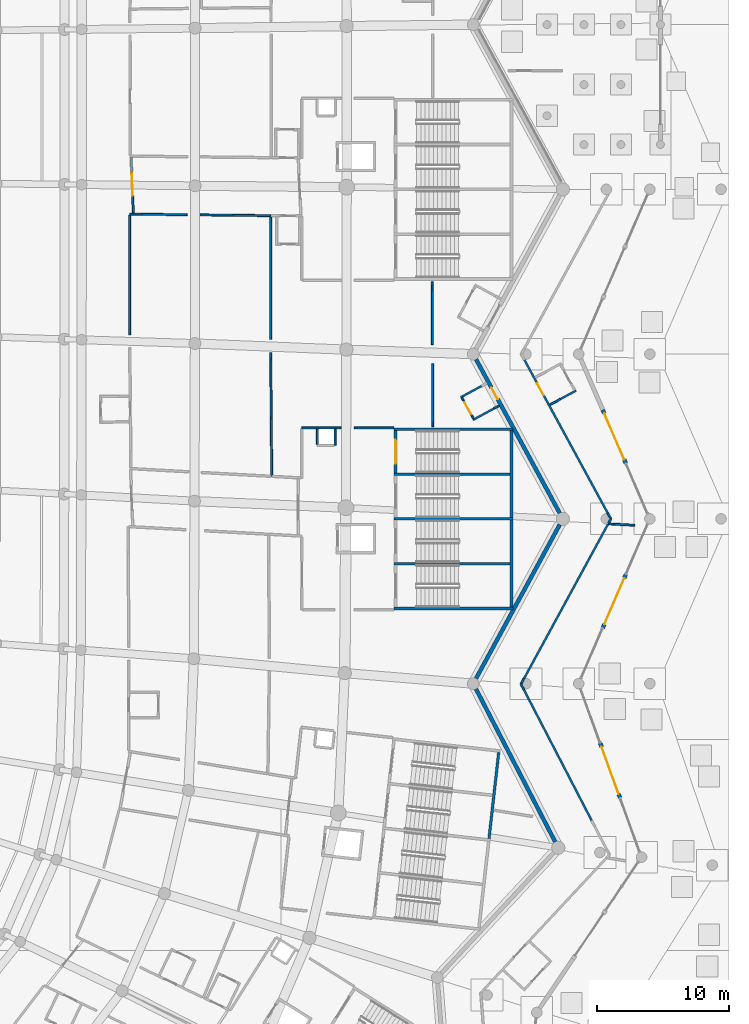
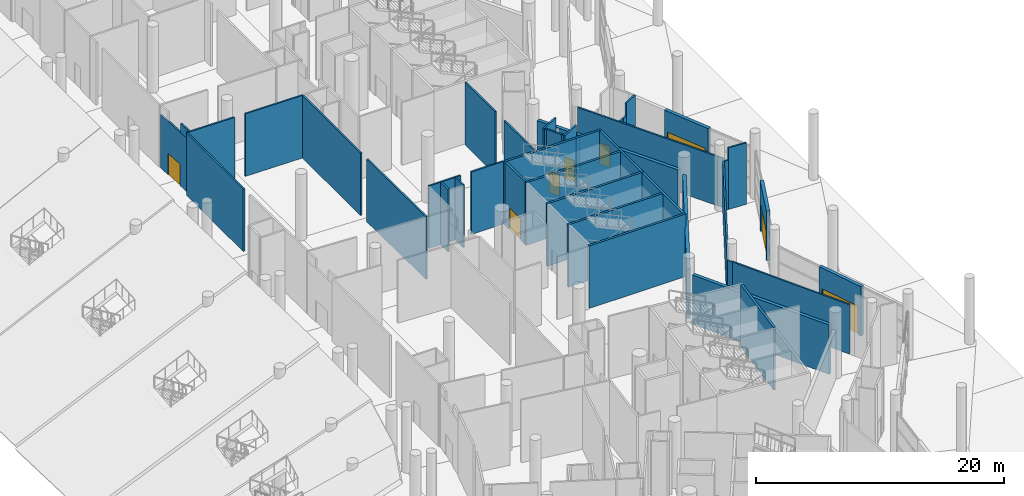
# One storey, part 129 of 255: 46 walls, 8 doors, 8 openings.
"""IFC4 building model written with IfcOpenShell, lengths in metres."""

from ifc_helpers import new_model, si_unit, direction, frame, frame_2d, origin, place, context, subcontext, project, spatial, rectangle, extrude, material, layer, layer_set, type_object, element, fill, save


model = new_model("IFC4")

# Units and contexts
model_context = context("Model", 3, precision=1e-05, world=origin(), true_north=direction((0.0, 1.0)))
body_context = subcontext(model_context, "Body", "Model", "MODEL_VIEW")
ifc_project = project(units=[si_unit("LENGTHUNIT", "METRE"), si_unit("AREAUNIT", "SQUARE_METRE"), si_unit("VOLUMEUNIT", "CUBIC_METRE"), si_unit("PLANEANGLEUNIT", "RADIAN"), si_unit("MASSUNIT", "GRAM", prefix="KILO")], contexts=[model_context])

# Site, building, storey
site_placement = place(None, origin())
site = spatial("IfcSite", under=ifc_project, at=site_placement, CompositionType="ELEMENT")
building_placement = place(site_placement, origin())
building = spatial("IfcBuilding", under=site, at=building_placement, Name="Meseta Stadium", CompositionType="ELEMENT")
storey_placement = place(building_placement, origin())
storey = spatial("IfcBuildingStorey", under=building, at=storey_placement, Name="L00", CompositionType="ELEMENT", Elevation=0.0)

# Walls
ifc_material_1 = material(Name="Concrete C40/50", Category="concrete")
ifc_layer_1 = layer(ifc_material_1, 0.199951171875)
ifc_layer_set_1 = layer_set([ifc_layer_1], Name="Core divider wall 200")
wall_type_1 = type_object("IfcWallType", Name="Core divider wall 200", PredefinedType="SHEAR", material=ifc_layer_set_1)
for number, where, z_axis, x_axis, name in (
    (1, (97.60009765625, -34.64990234375, 0.0), (0.0, 0.0, 1.0), (-1.0, 0.0, 0.0), "Core 02 L00 stair A divider wall"),
    (2, (97.60009765625, -27.85009765625, 0.0), (0.0, 0.0, 1.0), (-1.0, 0.0, 0.0), "Core 02 L00 stair B divider wall"),
):
    element("IfcWall", number, at=place(storey_placement, frame(where, z_axis=z_axis, x_axis=x_axis)), inside=storey, type_object=wall_type_1, Name=name, PredefinedType="SHEAR", context=body_context, shape_type="SweptSolid", body=[
        extrude(rectangle(XDim=9.0, YDim=0.199951171875, at=frame_2d((4.5, 0.0))), origin(), (0.0, 0.0, 1.0), 6.14990234375),
    ])
ifc_material_2 = material(Name="Concrete C40/50", Category="concrete")
ifc_layer_2 = layer(ifc_material_2, 0.199951171875)
ifc_layer_set_2 = layer_set([ifc_layer_2], Name="Core shaft wall 200")
wall_type_2 = type_object("IfcWallType", Name="Core shaft wall 200", PredefinedType="SHEAR", material=ifc_layer_set_2)
wall_1_placement = place(storey_placement, frame((95.796142578125, -55.510009765625, 0.0), z_axis=(0.0, 0.0, 1.0), x_axis=(0.111970106426, 0.993711575492, 0.0)))
element("IfcWall", 3, at=wall_1_placement, inside=storey, type_object=wall_type_2, Name="Core 01 L00 stair B outer end wall", PredefinedType="SHEAR", context=body_context, shape_type="SweptSolid", body=[
    extrude(rectangle(XDim=6.60009765625, YDim=0.199951171875, at=frame_2d((3.300048828125, 0.0))), origin(), (0.0, 0.0, 1.0), 6.14990234375),
])
for number, where, z_axis, x_axis, name in (
    (4, (97.60009765625, -38.050048828125, 0.0), (0.0, 0.0, 1.0), (-1.0, 0.0, 0.0), "Core 02 L00 stair wall A-side"),
    (5, (97.60009765625, -31.25, 0.0), (0.0, 0.0, 1.0), (-1.0, 0.0, 0.0), "Core 02 L00 stair wall shared"),
    (6, (97.60009765625, -24.449951171875, 0.0), (0.0, 0.0, 1.0), (-1.0, 0.0, 0.0), "Core 02 L00 stair wall B-side"),
):
    element("IfcWall", number, at=place(storey_placement, frame(where, z_axis=z_axis, x_axis=x_axis)), inside=storey, type_object=wall_type_2, Name=name, PredefinedType="SHEAR", context=body_context, shape_type="SweptSolid", body=[
        extrude(rectangle(XDim=9.0, YDim=0.199951171875, at=frame_2d((4.5, 0.0))), origin(), (0.0, 0.0, 1.0), 6.14990234375),
    ])
for number, where, z_axis, x_axis, name in (
    (7, (97.5, -37.949951171875, 0.0), (0.0, 0.0, 1.0), (0.0, 1.0, 0.0), "Core 02 L00 stair A outer end wall"),
    (8, (97.5, -31.14990234375, 0.0), (0.0, 0.0, 1.0), (0.0, 1.0, 0.0), "Core 02 L00 stair B outer end wall"),
):
    element("IfcWall", number, at=place(storey_placement, frame(where, z_axis=z_axis, x_axis=x_axis)), inside=storey, type_object=wall_type_2, Name=name, PredefinedType="SHEAR", context=body_context, shape_type="SweptSolid", body=[
        extrude(rectangle(XDim=6.599853515625, YDim=0.199951171875, at=frame_2d((3.2998046875, 0.0))), origin(), (0.0, 0.0, 1.0), 6.14990234375),
    ])

# Wall, opening, door
wall_2_placement = place(storey_placement, frame((88.699951171875, -27.75, 0.0), z_axis=(0.0, 0.0, 1.0), x_axis=(0.0, 1.0, 0.0)))
wall_2 = element("IfcWall", 9, at=wall_2_placement, inside=storey, type_object=wall_type_2, Name="Core 02 L00 stair B2 inner end wall", PredefinedType="SHEAR", context=body_context, shape_type="SweptSolid", body=[
    extrude(rectangle(XDim=3.199951171875, YDim=0.199951171875, at=frame_2d((1.60009765625, 0.0))), origin(), (0.0, 0.0, 1.0), 6.14990234375),
])
opening_1_placement = place(wall_2_placement, frame((0.699951171875, 0.0, 0.0)))
opening_1 = element("IfcOpeningElement", 10, at=opening_1_placement, cuts=wall_2, Name="Opening D050", PredefinedType="OPENING", context=body_context, shape_type="SweptSolid", body=[
    extrude(rectangle(XDim=1.800048828125, YDim=2.10009765625, at=frame_2d((0.89990234375, 1.050048828125))), frame((0.0, 0.10986328125, 0.0), z_axis=(0.0, -1.0, 0.0), x_axis=(1.0, 0.0, 0.0)), (0.0, 0.0, 1.0), 0.219970703125),
])
ifc_material_3 = material(Name="Steel", Category="steel")
door_type_1 = type_object("IfcDoorType", Name="Stair door 1800x2100", OperationType="DOUBLE_DOOR_SINGLE_SWING", PredefinedType="DOOR", material=ifc_material_3)
door_1_placement = place(opening_1_placement, origin())
door_1 = element("IfcDoor", 11, at=door_1_placement, inside=storey, type_object=door_type_1, Name="Stair B2 door 02 L00", OperationType="DOUBLE_DOOR_SINGLE_SWING", OverallHeight=2.10009765625, OverallWidth=1.800048828125, PredefinedType="DOOR", context=body_context, shape_type="SweptSolid", body=[
    extrude(rectangle(XDim=1.800048828125, YDim=2.10009765625, at=frame_2d((0.89990234375, 1.050048828125))), frame((0.0, 0.02490234375, 0.0), z_axis=(0.0, -1.0, 0.0), x_axis=(1.0, 0.0, 0.0)), (0.0, 0.0, 1.0), 0.050048828125),
])
fill(opening_1, door_1)

# Walls
ifc_material_4 = material(Name="Masonry blockwork", Category="masonry")
ifc_layer_3 = layer(ifc_material_4, 0.14990234375)
ifc_layer_set_3 = layer_set([ifc_layer_3], Name="Partition 150")
wall_type_3 = type_object("IfcWallType", Name="Partition 150", PredefinedType="PARTITIONING", material=ifc_layer_set_3)
wall_3_placement = place(storey_placement, frame((68.524169921875, -8.126953125, 0.0), z_axis=(0.0, 0.0, 1.0), x_axis=(0.999940244273, -0.01093196608, 0.0)))
element("IfcWall", 12, at=wall_3_placement, inside=storey, type_object=wall_type_3, Name="Partition L00 L00-cell01-1-0", PredefinedType="PARTITIONING", context=body_context, shape_type="SweptSolid", body=[
    extrude(rectangle(XDim=4.377197265625, YDim=0.14990234375, at=frame_2d((2.1884765625, 0.0))), origin(), (0.0, 0.0, 1.0), 6.14990234375),
])
wall_4_placement = place(storey_placement, frame((73.873779296875, -8.185546875, 0.0), z_axis=(0.0, 0.0, 1.0), x_axis=(0.999939527069, -0.010997372611, 0.0)))
element("IfcWall", 13, at=wall_4_placement, inside=storey, type_object=wall_type_3, Name="Partition L00 L00-cell01-1-0", PredefinedType="PARTITIONING", context=body_context, shape_type="SweptSolid", body=[
    extrude(rectangle(XDim=5.35009765625, YDim=0.14990234375, at=frame_2d((2.675048828125, 0.0))), origin(), (0.0, 0.0, 1.0), 6.14990234375),
])
wall_5_placement = place(storey_placement, frame((79.2236328125, -8.3193359375, 0.0), z_axis=(0.0, 0.0, 1.0), x_axis=(0.00057636878, -0.9999998339, 0.0)))
element("IfcWall", 14, at=wall_5_placement, inside=storey, type_object=wall_type_3, Name="Partition L00 L00-cell01-1-0", PredefinedType="PARTITIONING", context=body_context, shape_type="SweptSolid", body=[
    extrude(rectangle(XDim=9.31884765625, YDim=0.14990234375, at=frame_2d((4.659423828125, 0.0))), origin(), (0.0, 0.0, 1.0), 6.14990234375),
])
wall_6_placement = place(storey_placement, frame((79.2333984375, -18.626953125, 0.0), z_axis=(0.0, 0.0, 1.0), x_axis=(0.008470969086, -0.999964120698, 0.0)))
element("IfcWall", 15, at=wall_6_placement, inside=storey, type_object=wall_type_3, Name="Partition L00 L00-cell01-1-0", PredefinedType="PARTITIONING", context=body_context, shape_type="SweptSolid", body=[
    extrude(rectangle(XDim=9.3955078125, YDim=0.14990234375, at=frame_2d((4.69775390625, 0.0))), origin(), (0.0, 0.0, 1.0), 6.14990234375),
])
wall_7_placement = place(storey_placement, frame((68.53466796875, -17.298095703125, 0.0), z_axis=(0.0, 0.0, 1.0), x_axis=(-0.001127273963, 0.999999364627, 0.0)))
element("IfcWall", 16, at=wall_7_placement, inside=storey, type_object=wall_type_3, Name="Partition L00 L00-cell01-1-0", PredefinedType="PARTITIONING", context=body_context, shape_type="SweptSolid", body=[
    extrude(rectangle(XDim=9.09619140625, YDim=0.14990234375, at=frame_2d((4.548095703125, 0.0))), origin(), (0.0, 0.0, 1.0), 6.14990234375),
])
for number, where, z_axis, x_axis, name in (
    (17, (88.56005859375, -24.35009765625, 0.0), (0.0, 0.0, 1.0), (-1.0, 0.0, 0.0), "Partition L00 L00-cell01-2-0"),
    (18, (84.5830078125, -24.35009765625, 0.0), (0.0, 0.0, 1.0), (-1.0, 0.0, 0.0), "Partition L00 L00-cell01-2-0"),
):
    element("IfcWall", number, at=place(storey_placement, frame(where, z_axis=z_axis, x_axis=x_axis)), inside=storey, type_object=wall_type_3, Name=name, PredefinedType="PARTITIONING", context=body_context, shape_type="SweptSolid", body=[
        extrude(rectangle(XDim=2.98291015625, YDim=0.14990234375, at=frame_2d((1.491455078125, 0.0))), origin(), (0.0, 0.0, 1.0), 6.14990234375),
    ])
for number, where, z_axis, x_axis, name in (
    (19, (91.48828125, -13.25, 0.0), (0.0, 0.0, 1.0), (0.003624274308, -0.999993432296, 0.0), "Partition L00 L00-cell01-2-0"),
    (20, (91.510986328125, -19.46728515625, 0.0), (0.0, 0.0, 1.0), (0.00367531974, -0.99999324599, 0.0), "Partition L00 L00-cell01-2-0"),
):
    element("IfcWall", number, at=place(storey_placement, frame(where, z_axis=z_axis, x_axis=x_axis)), inside=storey, type_object=wall_type_3, Name=name, PredefinedType="PARTITIONING", context=body_context, shape_type="SweptSolid", body=[
        extrude(rectangle(XDim=4.78271484375, YDim=0.14990234375, at=frame_2d((2.391357421875, 0.0))), origin(), (0.0, 0.0, 1.0), 6.14990234375),
    ])
wall_8_placement = place(storey_placement, frame((103.58935546875, -54.14453125, 0.0), z_axis=(0.0, 0.0, 1.0), x_axis=(-0.460025827264, 0.887905534531, 0.0)))
element("IfcWall", 21, at=wall_8_placement, inside=storey, type_object=wall_type_3, Name="Partition L00 L00-ring00-0", PredefinedType="PARTITIONING", context=body_context, shape_type="SweptSolid", body=[
    extrude(rectangle(XDim=11.179443359375, YDim=0.14990234375, at=frame_2d((5.58984375, 0.0))), origin(), (0.0, 0.0, 1.0), 4.85009765625),
])
wall_9_placement = place(storey_placement, frame((98.446533203125, -44.21826171875, 0.0), z_axis=(0.0, 0.0, 1.0), x_axis=(-0.460023957555, 0.887906503228, 0.0)))
element("IfcWall", 22, at=wall_9_placement, inside=storey, type_object=wall_type_3, Name="Partition L00 L00-ring00-0", PredefinedType="PARTITIONING", context=body_context, shape_type="SweptSolid", body=[
    extrude(rectangle(XDim=0.486083984375, YDim=0.14990234375, at=frame_2d((0.2431640625, 0.0))), origin(), (0.0, 0.0, 1.0), 4.85009765625),
])
wall_10_placement = place(storey_placement, frame((98.222900390625, -43.78662109375, 0.0), z_axis=(0.0, 0.0, 1.0), x_axis=(0.477952432103, 0.878385719742, 0.0)))
element("IfcWall", 23, at=wall_10_placement, inside=storey, type_object=wall_type_3, Name="Partition L00 L00-ring00-0", PredefinedType="PARTITIONING", context=body_context, shape_type="SweptSolid", body=[
    extrude(rectangle(XDim=0.494384765625, YDim=0.14990234375, at=frame_2d((0.2470703125, 0.0))), origin(), (0.0, 0.0, 1.0), 4.85009765625),
])
wall_11_placement = place(storey_placement, frame((98.459228515625, -43.352294921875, 0.0), z_axis=(0.0, 0.0, 1.0), x_axis=(0.477866525751, 0.87843245817, 0.0)))
element("IfcWall", 24, at=wall_11_placement, inside=storey, type_object=wall_type_3, Name="Partition L00 L00-ring00-0", PredefinedType="PARTITIONING", context=body_context, shape_type="SweptSolid", body=[
    extrude(rectangle(XDim=13.350341796875, YDim=0.14990234375, at=frame_2d((6.67529296875, 0.0))), origin(), (0.0, 0.0, 1.0), 4.85009765625),
])
wall_12_placement = place(storey_placement, frame((104.8388671875, -31.625, 0.0), z_axis=(0.0, 0.0, 1.0), x_axis=(0.998498997746, -0.054769987218, 0.0)))
element("IfcWall", 25, at=wall_12_placement, inside=storey, type_object=wall_type_3, Name="Partition L00 L00-ring00-0", PredefinedType="PARTITIONING", context=body_context, shape_type="SweptSolid", body=[
    extrude(rectangle(XDim=0.405517578125, YDim=0.14990234375, at=frame_2d((0.20263671875, 0.0))), origin(), (0.0, 0.0, 1.0), 4.85009765625),
])
wall_13_placement = place(storey_placement, frame((105.243896484375, -31.647216796875, 0.0), z_axis=(0.0, 0.0, 1.0), x_axis=(0.998498997746, -0.054769987218, 0.0)))
element("IfcWall", 26, at=wall_13_placement, inside=storey, type_object=wall_type_3, Name="Partition L00 L00-ring00-0", PredefinedType="PARTITIONING", context=body_context, shape_type="SweptSolid", body=[
    extrude(rectangle(XDim=1.62255859375, YDim=0.14990234375, at=frame_2d((0.811279296875, 0.0))), origin(), (0.0, 0.0, 1.0), 6.050048828125),
])
wall_14_placement = place(storey_placement, frame((104.865234375, -31.576416015625, 0.0), z_axis=(0.0, 0.0, 1.0), x_axis=(0.478207674855, 0.878246787475, 0.0)))
element("IfcWall", 27, at=wall_14_placement, inside=storey, type_object=wall_type_3, Name="Partition L00 L00-ring01-0", PredefinedType="PARTITIONING", context=body_context, shape_type="SweptSolid", body=[
    extrude(rectangle(XDim=0.37158203125, YDim=0.14990234375, at=frame_2d((0.185791015625, 0.0))), origin(), (0.0, 0.0, 1.0), 4.85009765625),
])
wall_15_placement = place(storey_placement, frame((105.04296875, -31.25, 0.0), z_axis=(0.0, 0.0, 1.0), x_axis=(-0.478189589733, 0.87825663463, 0.0)))
element("IfcWall", 28, at=wall_15_placement, inside=storey, type_object=wall_type_3, Name="Partition L00 L00-ring01-0", PredefinedType="PARTITIONING", context=body_context, shape_type="SweptSolid", body=[
    extrude(rectangle(XDim=0.49072265625, YDim=0.14990234375, at=frame_2d((0.245361328125, 0.0))), origin(), (0.0, 0.0, 1.0), 4.85009765625),
])

# Wall, opening, door
wall_16_placement = place(storey_placement, frame((104.808349609375, -30.819091796875, 0.0), z_axis=(0.0, 0.0, 1.0), x_axis=(-0.477860264875, 0.878435864052, 0.0)))
wall_16 = element("IfcWall", 29, at=wall_16_placement, inside=storey, type_object=wall_type_3, Name="Partition L00 L00-ring01-0", PredefinedType="PARTITIONING", context=body_context, shape_type="SweptSolid", body=[
    extrude(rectangle(XDim=13.248779296875, YDim=0.14990234375, at=frame_2d((6.62451171875, 0.0))), origin(), (0.0, 0.0, 1.0), 4.85009765625),
])
opening_2_placement = place(wall_16_placement, frame((10.199951171875, 0.0, 0.0)))
opening_2 = element("IfcOpeningElement", 30, at=opening_2_placement, cuts=wall_16, Name="Opening D619", PredefinedType="OPENING", context=body_context, shape_type="SweptSolid", body=[
    extrude(rectangle(XDim=1.0, YDim=2.10009765625, at=frame_2d((0.5, 1.050048828125))), frame((0.0, 0.0849609375, 0.0), z_axis=(0.0, -1.0, 0.0), x_axis=(1.0, 0.0, 0.0)), (0.0, 0.0, 1.0), 0.169921875),
])
ifc_material_5 = material(Name="Steel", Category="steel")
door_type_2 = type_object("IfcDoorType", Name="Fire door 1000x2100 EI2 60", OperationType="NOTDEFINED", PredefinedType="DOOR", material=ifc_material_5)
door_2_placement = place(opening_2_placement, origin())
door_2 = element("IfcDoor", 31, at=door_2_placement, inside=storey, type_object=door_type_2, Name="Door D619", OperationType="SINGLE_SWING_RIGHT", OverallHeight=2.10009765625, OverallWidth=1.0, PredefinedType="DOOR", context=body_context, shape_type="SweptSolid", body=[
    extrude(rectangle(XDim=1.0, YDim=2.10009765625, at=frame_2d((0.5, 1.050048828125))), frame((0.0, 0.02490234375, 0.0), z_axis=(0.0, -1.0, 0.0), x_axis=(1.0, 0.0, 0.0)), (0.0, 0.0, 1.0), 0.050048828125),
])
fill(opening_2, door_2)

# Walls
wall_17_placement = place(storey_placement, frame((84.125, -25.675048828125, 0.0), z_axis=(0.0, 0.0, 1.0), x_axis=(0.0, 1.0, 0.0)))
element("IfcWall", 32, at=wall_17_placement, inside=storey, type_object=wall_type_3, Name="Pressurisation shaft wall L00 core 02", PredefinedType="PARTITIONING", context=body_context, shape_type="SweptSolid", body=[
    extrude(rectangle(XDim=1.2490234375, YDim=0.14990234375, at=frame_2d((0.62451171875, 0.0))), origin(), (0.0, 0.0, 1.0), 6.14990234375),
])
wall_18_placement = place(storey_placement, frame((82.77490234375, -24.426025390625, 0.0), z_axis=(0.0, 0.0, 1.0), x_axis=(0.0, -1.0, 0.0)))
element("IfcWall", 33, at=wall_18_placement, inside=storey, type_object=wall_type_3, Name="Pressurisation shaft wall L00 core 02", PredefinedType="PARTITIONING", context=body_context, shape_type="SweptSolid", body=[
    extrude(rectangle(XDim=1.174072265625, YDim=0.14990234375, at=frame_2d((0.5869140625, 0.0))), origin(), (0.0, 0.0, 1.0), 6.14990234375),
])
wall_19_placement = place(storey_placement, frame((95.231689453125, -21.166748046875, 0.0), z_axis=(0.0, 0.0, 1.0), x_axis=(-0.878459932885, -0.477816017223, 0.0)))
element("IfcWall", 34, at=wall_19_placement, inside=storey, type_object=wall_type_3, Name="Partition L00 L00-cell01-3-0 vestibule", PredefinedType="PARTITIONING", context=body_context, shape_type="SweptSolid", body=[
    extrude(rectangle(XDim=1.800048828125, YDim=0.14990234375, at=frame_2d((0.89990234375, 0.0))), origin(), (0.0, 0.0, 1.0), 6.14990234375),
])
wall_20_placement = place(storey_placement, frame((96.558837890625, -22.664794921875, 0.0), z_axis=(0.0, 0.0, 1.0), x_axis=(-0.878599760102, -0.477558856633, 0.0)))
element("IfcWall", 35, at=wall_20_placement, inside=storey, type_object=wall_type_3, Name="Partition L00 L00-cell01-3-0 vestibule", PredefinedType="PARTITIONING", context=body_context, shape_type="SweptSolid", body=[
    extrude(rectangle(XDim=0.449951171875, YDim=0.14990234375, at=frame_2d((0.22509765625, 0.0))), origin(), (0.0, 0.0, 1.0), 4.85009765625),
])
wall_21_placement = place(storey_placement, frame((96.16357421875, -22.879638671875, 0.0), z_axis=(0.0, 0.0, 1.0), x_axis=(-0.878372019733, -0.477977609256, 0.0)))
element("IfcWall", 36, at=wall_21_placement, inside=storey, type_object=wall_type_3, Name="Partition L00 L00-cell01-3-0 vestibule", PredefinedType="PARTITIONING", context=body_context, shape_type="SweptSolid", body=[
    extrude(rectangle(XDim=1.800048828125, YDim=0.14990234375, at=frame_2d((0.89990234375, 0.0))), origin(), (0.0, 0.0, 1.0), 6.14990234375),
])
wall_22_placement = place(storey_placement, frame((93.752197265625, -22.056884765625, 0.0), z_axis=(0.0, 0.0, 1.0), x_axis=(0.478168266369, -0.878268244352, 0.0)))
element("IfcWall", 37, at=wall_22_placement, inside=storey, type_object=wall_type_3, Name="Partition L00 L00-cell01-3-0 vestibule", PredefinedType="PARTITIONING", context=body_context, shape_type="SweptSolid", body=[
    extrude(rectangle(XDim=0.2001953125, YDim=0.14990234375, at=frame_2d((0.10009765625, 0.0))), origin(), (0.0, 0.0, 1.0), 6.14990234375),
])

# Wall, opening, door
wall_23_placement = place(storey_placement, frame((93.847900390625, -22.232666015625, 0.0), z_axis=(0.0, 0.0, 1.0), x_axis=(0.47784986479, -0.878441521514, 0.0)))
wall_23 = element("IfcWall", 38, at=wall_23_placement, inside=storey, type_object=wall_type_3, Name="Partition L00 L00-cell01-3-0 vestibule", PredefinedType="PARTITIONING", context=body_context, shape_type="SweptSolid", body=[
    extrude(rectangle(XDim=1.39990234375, YDim=0.14990234375, at=frame_2d((0.699951171875, 0.0))), origin(), (0.0, 0.0, 1.0), 6.14990234375),
])
opening_3_placement = place(wall_23_placement, frame((0.199951171875, 0.0, 0.0)))
opening_3 = element("IfcOpeningElement", 39, at=opening_3_placement, cuts=wall_23, Name="Opening D822", PredefinedType="OPENING", context=body_context, shape_type="SweptSolid", body=[
    extrude(rectangle(XDim=1.0, YDim=2.10009765625, at=frame_2d((0.5, 1.050048828125))), frame((0.0, 0.0849609375, 0.0), z_axis=(0.0, -1.0, 0.0), x_axis=(1.0, 0.0, 0.0)), (0.0, 0.0, 1.0), 0.169921875),
])
door_3_placement = place(opening_3_placement, origin())
door_3 = element("IfcDoor", 40, at=door_3_placement, inside=storey, type_object=door_type_2, Name="Vestibule door L00 L00-cell01-3-0", OperationType="SINGLE_SWING_LEFT", OverallHeight=2.10009765625, OverallWidth=1.0, PredefinedType="DOOR", context=body_context, shape_type="SweptSolid", body=[
    extrude(rectangle(XDim=1.0, YDim=2.10009765625, at=frame_2d((0.5, 1.050048828125))), frame((0.0, 0.02490234375, 0.0), z_axis=(0.0, -1.0, 0.0), x_axis=(1.0, 0.0, 0.0)), (0.0, 0.0, 1.0), 0.050048828125),
])
fill(opening_3, door_3)

# Walls
wall_24_placement = place(storey_placement, frame((94.516845703125, -23.46240234375, 0.0), z_axis=(0.0, 0.0, 1.0), x_axis=(0.477226530971, -0.878780312785, 0.0)))
element("IfcWall", 41, at=wall_24_placement, inside=storey, type_object=wall_type_3, Name="Partition L00 L00-cell01-3-0 vestibule", PredefinedType="PARTITIONING", context=body_context, shape_type="SweptSolid", body=[
    extrude(rectangle(XDim=0.199951171875, YDim=0.14990234375, at=frame_2d((0.10009765625, 0.0))), origin(), (0.0, 0.0, 1.0), 6.14990234375),
])
for number, where, z_axis, x_axis, name in (
    (42, (100.418212890625, -22.591796875, 0.0), (0.0, 0.0, 1.0), (0.878372019733, 0.477977609256, 0.0), "Partition L00 L00-ring01-0 vestibule"),
    (43, (100.8134765625, -22.376708984375, 0.0), (0.0, 0.0, 1.0), (0.878372019733, 0.477977609256, 0.0), "Partition L00 L00-ring01-0 vestibule"),
):
    element("IfcWall", number, at=place(storey_placement, frame(where, z_axis=z_axis, x_axis=x_axis)), inside=storey, type_object=wall_type_3, Name=name, PredefinedType="PARTITIONING", context=body_context, shape_type="SweptSolid", body=[
        extrude(rectangle(XDim=0.449951171875, YDim=0.14990234375, at=frame_2d((0.22509765625, 0.0))), origin(), (0.0, 0.0, 1.0), 4.85009765625),
    ])
wall_25_placement = place(storey_placement, frame((101.208740234375, -22.16162109375, 0.0), z_axis=(0.0, 0.0, 1.0), x_axis=(0.878447942246, 0.477838061234, 0.0)))
element("IfcWall", 44, at=wall_25_placement, inside=storey, type_object=wall_type_3, Name="Partition L00 L00-ring01-0 vestibule", PredefinedType="PARTITIONING", context=body_context, shape_type="SweptSolid", body=[
    extrude(rectangle(XDim=1.349853515625, YDim=0.14990234375, at=frame_2d((0.6748046875, 0.0))), origin(), (0.0, 0.0, 1.0), 6.10009765625),
])

# Wall, opening, door
wall_26_placement = place(storey_placement, frame((68.812255859375, -8.05029296875, 0.0), z_axis=(0.0, 0.0, 1.0), x_axis=(-0.040250488261, 0.99918962074, 0.0)))
wall_26 = element("IfcWall", 45, at=wall_26_placement, inside=storey, type_object=wall_type_3, Name="Escape corridor discharge wall L00 core 03", PredefinedType="PARTITIONING", context=body_context, shape_type="SweptSolid", body=[
    extrude(rectangle(XDim=4.245849609375, YDim=0.14990234375, at=frame_2d((2.123046875, 0.0))), origin(), (0.0, 0.0, 1.0), 5.25),
])
opening_4_placement = place(wall_26_placement, frame((1.2958984375, 0.0, 0.0)))
opening_4 = element("IfcOpeningElement", 46, at=opening_4_placement, cuts=wall_26, Name="Opening D379", PredefinedType="OPENING", context=body_context, shape_type="SweptSolid", body=[
    extrude(rectangle(XDim=1.800048828125, YDim=2.10009765625, at=frame_2d((0.89990234375, 1.050048828125))), frame((0.0, 0.0849609375, 0.0), z_axis=(0.0, -1.0, 0.0), x_axis=(1.0, 0.0, 0.0)), (0.0, 0.0, 1.0), 0.169921875),
])
ifc_material_6 = material(Name="Steel", Category="steel")
door_type_3 = type_object("IfcDoorType", Name="Fire double door 1800x2100 EI2 60", OperationType="DOUBLE_DOOR_SINGLE_SWING", PredefinedType="DOOR", material=ifc_material_6)
door_4_placement = place(opening_4_placement, origin())
door_4 = element("IfcDoor", 47, at=door_4_placement, inside=storey, type_object=door_type_3, Name="Stair discharge door SD03-1", OperationType="DOUBLE_DOOR_SINGLE_SWING", OverallHeight=2.10009765625, OverallWidth=1.800048828125, PredefinedType="DOOR", context=body_context, shape_type="SweptSolid", body=[
    extrude(rectangle(XDim=1.800048828125, YDim=2.10009765625, at=frame_2d((0.89990234375, 1.050048828125))), frame((0.0, 0.02490234375, 0.0), z_axis=(0.0, -1.0, 0.0), x_axis=(1.0, 0.0, 0.0)), (0.0, 0.0, 1.0), 0.050048828125),
])
fill(opening_4, door_4)

# Walls
wall_27_placement = place(storey_placement, frame((68.812255859375, -8.05029296875, 5.25), z_axis=(0.0, 0.0, 1.0), x_axis=(-0.040171508889, 0.99919279915, 0.0)))
element("IfcWall", 48, at=wall_27_placement, inside=storey, type_object=wall_type_3, Name="Escape corridor discharge wall L00 core 03", PredefinedType="PARTITIONING", context=body_context, shape_type="SweptSolid", body=[
    extrude(rectangle(XDim=1.245849609375, YDim=0.14990234375, at=frame_2d((0.623046875, 0.0))), origin(), (0.0, 0.0, 1.0), 0.89990234375),
])
ifc_material_7 = material(Name="White precast concrete C40/50", Category="concrete")
ifc_layer_4 = layer(ifc_material_7, 0.300048828125)
ifc_layer_set_4 = layer_set([ifc_layer_4], Name="Pleated panel wall 300 concourse")
wall_type_4 = type_object("IfcWallType", Name="Pleated panel wall 300 concourse", PredefinedType="SOLIDWALL", material=ifc_layer_set_4)
wall_28_placement = place(storey_placement, frame((94.806884765625, -44.1494140625, 0.0), z_axis=(0.0, 0.0, 1.0), x_axis=(0.460021193284, -0.887907935391, 0.0)))
element("IfcWall", 49, at=wall_28_placement, inside=storey, type_object=wall_type_4, Name="Pleated facade panel L00 F00", PredefinedType="SOLIDWALL", context=body_context, shape_type="SweptSolid", body=[
    extrude(rectangle(XDim=13.0751953125, YDim=0.300048828125, at=frame_2d((6.53759765625, 0.0))), origin(), (0.0, 0.0, 1.0), 4.85009765625),
])
wall_29_placement = place(storey_placement, frame((101.1611328125, -31.68896484375, 0.0), z_axis=(0.0, 0.0, 1.0), x_axis=(-0.477867771117, -0.878431780691, 0.0)))
element("IfcWall", 50, at=wall_29_placement, inside=storey, type_object=wall_type_4, Name="Pleated facade panel L00 F01", PredefinedType="SOLIDWALL", context=body_context, shape_type="SweptSolid", body=[
    extrude(rectangle(XDim=13.2802734375, YDim=0.300048828125, at=frame_2d((6.64013671875, 0.0))), origin(), (0.0, 0.0, 1.0), 4.85009765625),
])

# Wall, opening, door
wall_30_placement = place(storey_placement, frame((94.81494140625, -19.145263671875, 0.0), z_axis=(0.0, 0.0, 1.0), x_axis=(0.477867771117, -0.878431780691, 0.0)))
wall_30 = element("IfcWall", 51, at=wall_30_placement, inside=storey, type_object=wall_type_4, Name="Pleated facade panel L00 F02", PredefinedType="SOLIDWALL", context=body_context, shape_type="SweptSolid", body=[
    extrude(rectangle(XDim=13.2802734375, YDim=0.300048828125, at=frame_2d((6.64013671875, 0.0))), origin(), (0.0, 0.0, 1.0), 4.85009765625),
])
opening_5_placement = place(wall_30_placement, frame((2.449951171875, 0.0, 0.0)))
opening_5 = element("IfcOpeningElement", 52, at=opening_5_placement, cuts=wall_30, Name="Opening D539", PredefinedType="OPENING", context=body_context, shape_type="SweptSolid", body=[
    extrude(rectangle(XDim=1.0, YDim=2.10009765625, at=frame_2d((0.5, 1.050048828125))), frame((0.0, 0.159912109375, 0.0), z_axis=(0.0, -1.0, 0.0), x_axis=(1.0, 0.0, 0.0)), (0.0, 0.0, 1.0), 0.320068359375),
])
door_5_placement = place(opening_5_placement, origin())
door_5 = element("IfcDoor", 53, at=door_5_placement, inside=storey, type_object=door_type_2, Name="Door D539", OperationType="SINGLE_SWING_LEFT", OverallHeight=2.10009765625, OverallWidth=1.0, PredefinedType="DOOR", context=body_context, shape_type="SweptSolid", body=[
    extrude(rectangle(XDim=1.0, YDim=2.10009765625, at=frame_2d((0.5, 1.050048828125))), frame((0.0, 0.02490234375, 0.0), z_axis=(0.0, -1.0, 0.0), x_axis=(1.0, 0.0, 0.0)), (0.0, 0.0, 1.0), 0.050048828125),
])
fill(opening_5, door_5)

ifc_material_8 = material(Name="Precast concrete C40/50", Category="concrete")
ifc_layer_5 = layer(ifc_material_8, 0.300048828125)
ifc_layer_set_5 = layer_set([ifc_layer_5], Name="Ring facade panel wall 300")
wall_type_5 = type_object("IfcWallType", Name="Ring facade panel wall 300", PredefinedType="SOLIDWALL", material=ifc_layer_set_5)
wall_31_placement = place(storey_placement, frame((104.236328125, -48.26416015625, 0.0), z_axis=(0.0, 0.0, 1.0), x_axis=(0.340789515436, -0.940139620572, 0.0)))
wall_31 = element("IfcWall", 54, at=wall_31_placement, inside=storey, type_object=wall_type_5, Name="Ring facade panel wall F00", PredefinedType="SOLIDWALL", context=body_context, shape_type="SweptSolid", body=[
    extrude(rectangle(XDim=4.400146484375, YDim=0.300048828125, at=frame_2d((2.2001953125, 0.0))), origin(), (0.0, 0.0, 1.0), 4.85009765625),
])
opening_6_placement = place(wall_31_placement, frame((0.300048828125, 0.0, 0.0)))
opening_6 = element("IfcOpeningElement", 55, at=opening_6_placement, cuts=wall_31, Name="Opening D932", PredefinedType="OPENING", context=body_context, shape_type="SweptSolid", body=[
    extrude(rectangle(XDim=3.800048828125, YDim=2.800048828125, at=frame_2d((1.89990234375, 1.39990234375))), frame((0.0, 0.159912109375, 0.0), z_axis=(0.0, -1.0, 0.0), x_axis=(1.0, 0.0, 0.0)), (0.0, 0.0, 1.0), 0.320068359375),
])
ifc_material_9 = material(Name="Steel", Category="steel")
door_type_4 = type_object("IfcDoorType", Name="Final exit door 3800x2800", OperationType="DOUBLE_DOOR_SINGLE_SWING", PredefinedType="DOOR", material=ifc_material_9)
door_6_placement = place(opening_6_placement, origin())
door_6 = element("IfcDoor", 56, at=door_6_placement, inside=storey, type_object=door_type_4, Name="Final exit F37", OperationType="DOUBLE_DOOR_SINGLE_SWING", OverallHeight=2.800048828125, OverallWidth=3.800048828125, PredefinedType="DOOR", context=body_context, shape_type="SweptSolid", body=[
    extrude(rectangle(XDim=3.800048828125, YDim=2.800048828125, at=frame_2d((1.89990234375, 1.39990234375))), frame((0.0, 0.02490234375, 0.0), z_axis=(0.0, -1.0, 0.0), x_axis=(1.0, 0.0, 0.0)), (0.0, 0.0, 1.0), 0.050048828125),
])
fill(opening_6, door_6)

wall_32_placement = place(storey_placement, frame((106.172607421875, -35.48046875, 0.0), z_axis=(0.0, 0.0, 1.0), x_axis=(-0.396623075329, -0.917981555434, 0.0)))
wall_32 = element("IfcWall", 57, at=wall_32_placement, inside=storey, type_object=wall_type_5, Name="Ring facade panel wall F01", PredefinedType="SOLIDWALL", context=body_context, shape_type="SweptSolid", body=[
    extrude(rectangle(XDim=4.39990234375, YDim=0.300048828125, at=frame_2d((2.199951171875, 0.0))), origin(), (0.0, 0.0, 1.0), 4.85009765625),
])
opening_7_placement = place(wall_32_placement, frame((0.300048828125, 0.0, 0.0)))
opening_7 = element("IfcOpeningElement", 58, at=opening_7_placement, cuts=wall_32, Name="Opening D933", PredefinedType="OPENING", context=body_context, shape_type="SweptSolid", body=[
    extrude(rectangle(XDim=3.800048828125, YDim=2.800048828125, at=frame_2d((1.89990234375, 1.39990234375))), frame((0.0, 0.159912109375, 0.0), z_axis=(0.0, -1.0, 0.0), x_axis=(1.0, 0.0, 0.0)), (0.0, 0.0, 1.0), 0.320068359375),
])
door_7_placement = place(opening_7_placement, origin())
door_7 = element("IfcDoor", 59, at=door_7_placement, inside=storey, type_object=door_type_4, Name="Final exit F38", OperationType="DOUBLE_DOOR_SINGLE_SWING", OverallHeight=2.800048828125, OverallWidth=3.800048828125, PredefinedType="DOOR", context=body_context, shape_type="SweptSolid", body=[
    extrude(rectangle(XDim=3.800048828125, YDim=2.800048828125, at=frame_2d((1.89990234375, 1.39990234375))), frame((0.0, 0.02490234375, 0.0), z_axis=(0.0, -1.0, 0.0), x_axis=(1.0, 0.0, 0.0)), (0.0, 0.0, 1.0), 0.050048828125),
])
fill(opening_7, door_7)

wall_33_placement = place(storey_placement, frame((104.427490234375, -22.98046875, 0.0), z_axis=(0.0, 0.0, 1.0), x_axis=(0.396623075329, -0.917981555434, 0.0)))
wall_33 = element("IfcWall", 60, at=wall_33_placement, inside=storey, type_object=wall_type_5, Name="Ring facade panel wall F02", PredefinedType="SOLIDWALL", context=body_context, shape_type="SweptSolid", body=[
    extrude(rectangle(XDim=4.39990234375, YDim=0.300048828125, at=frame_2d((2.199951171875, 0.0))), origin(), (0.0, 0.0, 1.0), 4.85009765625),
])
opening_8_placement = place(wall_33_placement, frame((0.300048828125, 0.0, 0.0)))
opening_8 = element("IfcOpeningElement", 61, at=opening_8_placement, cuts=wall_33, Name="Opening D934", PredefinedType="OPENING", context=body_context, shape_type="SweptSolid", body=[
    extrude(rectangle(XDim=3.800048828125, YDim=2.800048828125, at=frame_2d((1.89990234375, 1.39990234375))), frame((0.0, 0.159912109375, 0.0), z_axis=(0.0, -1.0, 0.0), x_axis=(1.0, 0.0, 0.0)), (0.0, 0.0, 1.0), 0.320068359375),
])
door_8_placement = place(opening_8_placement, origin())
door_8 = element("IfcDoor", 62, at=door_8_placement, inside=storey, type_object=door_type_4, Name="Final exit F39", OperationType="DOUBLE_DOOR_SINGLE_SWING", OverallHeight=2.800048828125, OverallWidth=3.800048828125, PredefinedType="DOOR", context=body_context, shape_type="SweptSolid", body=[
    extrude(rectangle(XDim=3.800048828125, YDim=2.800048828125, at=frame_2d((1.89990234375, 1.39990234375))), frame((0.0, 0.02490234375, 0.0), z_axis=(0.0, -1.0, 0.0), x_axis=(1.0, 0.0, 0.0)), (0.0, 0.0, 1.0), 0.050048828125),
])
fill(opening_8, door_8)

save(model, "model.ifc")
